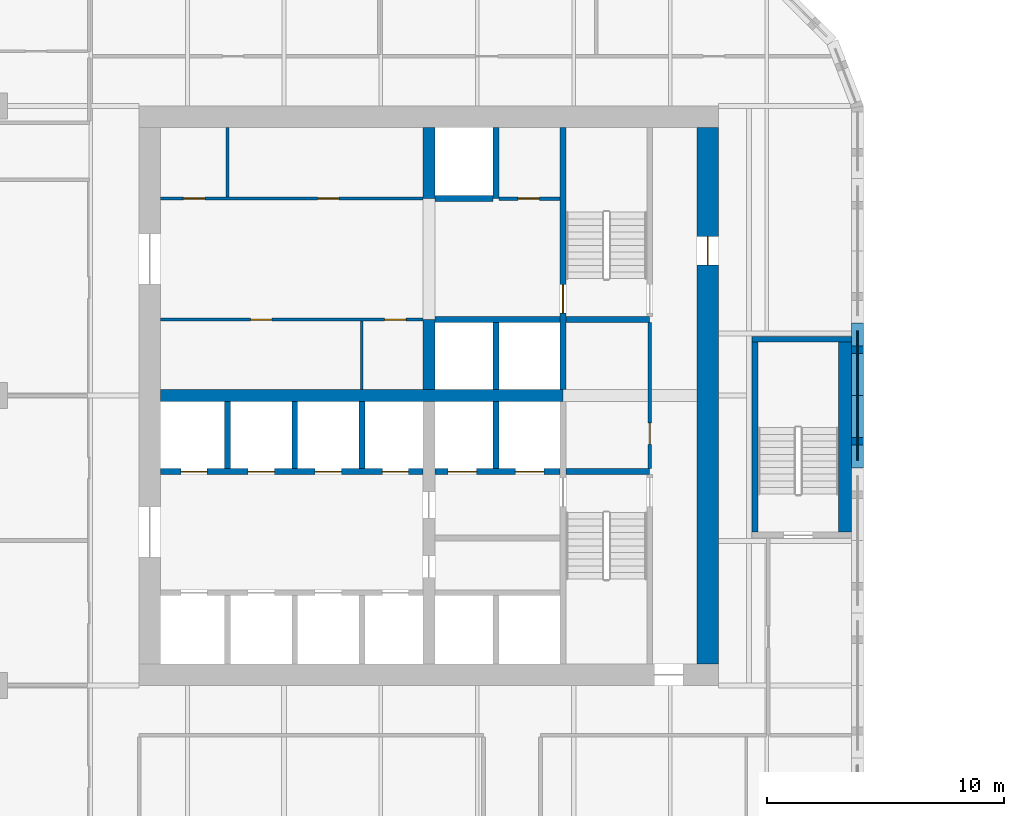
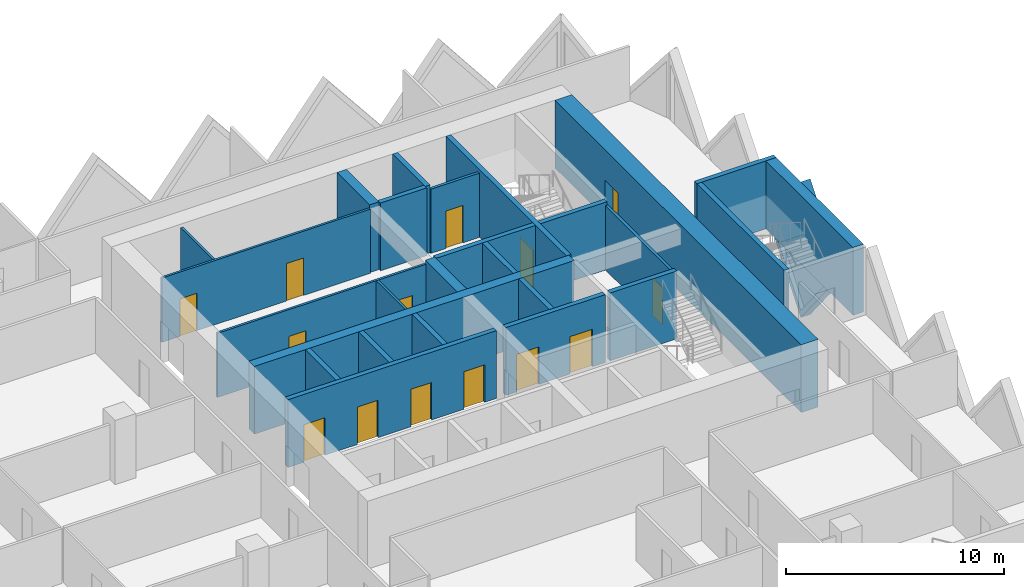
# One storey, part 9 of 18: 27 walls, 14 doors, 1 plate, 15 openings.
"""IFC4 building model written with IfcOpenShell, lengths in metres."""

from ifc_helpers import new_model, si_unit, direction, frame, frame_2d, origin, place, context, subcontext, project, spatial, polyline, rectangle, outline, extrude, faceted_brep, source, transform, mapped, material, layer, layer_set, type_object, element, fill, save


model = new_model("IFC4")

# Units and contexts
model_context = context("Model", 3, precision=1e-05, world=origin(), true_north=direction((0.0, 1.0)))
body_context = subcontext(model_context, "Body", "Model", "MODEL_VIEW")
ifc_project = project(units=[si_unit("LENGTHUNIT", "METRE"), si_unit("AREAUNIT", "SQUARE_METRE"), si_unit("VOLUMEUNIT", "CUBIC_METRE"), si_unit("PLANEANGLEUNIT", "RADIAN"), si_unit("MASSUNIT", "GRAM", prefix="KILO")], contexts=[model_context])

# Site, building, storey
site_placement = place(None, origin())
site = spatial("IfcSite", under=ifc_project, at=site_placement, CompositionType="ELEMENT")
building_placement = place(site_placement, origin())
building = spatial("IfcBuilding", under=site, at=building_placement, Name="Tessera Gate Towers", CompositionType="ELEMENT")
storey_placement = place(building_placement, frame((0.0, 0.0, 44.800048828125)))
storey = spatial("IfcBuildingStorey", under=building, at=storey_placement, Name="L10", CompositionType="ELEMENT", Elevation=44.800048828125)

# Wall, opening, door
ifc_material_1 = material(Name="Concrete C40/50", Category="concrete")
ifc_layer_1 = layer(ifc_material_1, 0.25)
ifc_layer_set_1 = layer_set([ifc_layer_1], Name="CORE ENCLOSURE WALL 250")
wall_type_1 = type_object("IfcWallType", Name="CORE ENCLOSURE WALL 250", PredefinedType="SOLIDWALL", material=ifc_layer_set_1)
wall_1_placement = place(storey_placement, frame((48.35009765625, 47.89990234375, 0.0), z_axis=(0.0, 0.0, 1.0), x_axis=(0.0, -1.0, 0.0)))
wall_1 = element("IfcWall", 1, at=wall_1_placement, inside=storey, type_object=wall_type_1, Name="L10 shaft and stair enclosure wall", PredefinedType="SOLIDWALL", context=body_context, shape_type="SweptSolid", body=[
    extrude(rectangle(XDim=11.0498046875, YDim=0.25, at=frame_2d((5.52490234375, 0.0))), origin(), (0.0, 0.0, 1.0), 3.800048828125),
])
shared_shape_1 = source(origin(), body_context, "Body", "SweptSolid", [
    extrude(rectangle(XDim=1.199951171875, YDim=2.10009765625, at=frame_2d((0.60009765625, 1.050048828125))), frame((0.0, 0.135009765625, 0.0), z_axis=(0.0, -1.0, 0.0), x_axis=(1.0, 0.0, 0.0)), (0.0, 0.0, 1.0), 0.27001953125),
])
opening_1_placement = place(wall_1_placement, frame((6.625, 0.0, 0.0)))
opening_1 = element("IfcOpeningElement", 2, at=opening_1_placement, cuts=wall_1, Name="Opening SD-ST2-1", PredefinedType="OPENING", context=body_context, shape_type="MappedRepresentation", body=[
    mapped(shared_shape_1, transform((0.0, 0.0, 0.0), scale=1.0)),
])
ifc_material_2 = material(Name="Hollow steel fire door", Category="steel")
door_type_1 = type_object("IfcDoorType", Name="CORE DOOR SD 1200x2100", OperationType="NOTDEFINED", PredefinedType="DOOR", material=ifc_material_2)
shared_shape_2 = source(origin(), body_context, "Body", "SweptSolid", [
    extrude(rectangle(XDim=1.199951171875, YDim=2.10009765625, at=frame_2d((0.60009765625, 1.050048828125))), frame((0.0, 0.02490234375, 0.0), z_axis=(0.0, -1.0, 0.0), x_axis=(1.0, 0.0, 0.0)), (0.0, 0.0, 1.0), 0.050048828125),
])
door_1_placement = place(opening_1_placement, origin())
door_1 = element("IfcDoor", 3, at=door_1_placement, inside=storey, type_object=door_type_1, Name="Stair door", OperationType="SINGLE_SWING_RIGHT", OverallHeight=2.10009765625, OverallWidth=1.199951171875, PredefinedType="DOOR", context=body_context, shape_type="MappedRepresentation", body=[
    mapped(shared_shape_2, transform((0.0, 0.0, 0.0), scale=1.0)),
])
fill(opening_1, door_1)

# Wall, openings, doors
wall_2_placement = place(storey_placement, frame((42.449951171875, 33.39990234375, 0.0), z_axis=(0.0, 0.0, 1.0), x_axis=(-1.0, 0.0, 0.0)))
wall_2 = element("IfcWall", 4, at=wall_2_placement, inside=storey, type_object=wall_type_1, Name="L10 shaft and stair enclosure wall", PredefinedType="SOLIDWALL", context=body_context, shape_type="SweptSolid", body=[
    extrude(rectangle(XDim=11.050048828125, YDim=0.25, at=frame_2d((5.52490234375, 0.0))), origin(), (0.0, 0.0, 1.0), 3.800048828125),
])
shared_shape_3 = source(origin(), body_context, "Body", "SweptSolid", [
    extrude(rectangle(XDim=1.10009765625, YDim=2.10009765625, at=frame_2d((0.550048828125, 1.050048828125))), frame((0.0, 0.135009765625, 0.0), z_axis=(0.0, -1.0, 0.0), x_axis=(1.0, 0.0, 0.0)), (0.0, 0.0, 1.0), 0.27001953125),
])
opening_2_placement = place(wall_2_placement, frame((9.08740234375, 0.0, 0.0)))
opening_2 = element("IfcOpeningElement", 5, at=opening_2_placement, cuts=wall_2, Name="Opening LD-LR5", PredefinedType="OPENING", context=body_context, shape_type="MappedRepresentation", body=[
    mapped(shared_shape_3, transform((0.0, 0.0, 0.0), scale=1.0)),
])
opening_3_placement = place(wall_2_placement, frame((6.262451171875, 0.0, 0.0)))
opening_3 = element("IfcOpeningElement", 6, at=opening_3_placement, cuts=wall_2, Name="Opening LD-LR6", PredefinedType="OPENING", context=body_context, shape_type="MappedRepresentation", body=[
    mapped(shared_shape_3, transform((0.0, 0.0, 0.0), scale=1.0)),
])
opening_4_placement = place(wall_2_placement, frame((3.4375, 0.0, 0.0)))
opening_4 = element("IfcOpeningElement", 7, at=opening_4_placement, cuts=wall_2, Name="Opening LD-LR7", PredefinedType="OPENING", context=body_context, shape_type="MappedRepresentation", body=[
    mapped(shared_shape_3, transform((0.0, 0.0, 0.0), scale=1.0)),
])
opening_5_placement = place(wall_2_placement, frame((0.612548828125, 0.0, 0.0)))
opening_5 = element("IfcOpeningElement", 8, at=opening_5_placement, cuts=wall_2, Name="Opening LD-LR8", PredefinedType="OPENING", context=body_context, shape_type="MappedRepresentation", body=[
    mapped(shared_shape_3, transform((0.0, 0.0, 0.0), scale=1.0)),
])
ifc_material_3 = material(Name="Stainless steel", Category="steel")
door_type_2 = type_object("IfcDoorType", Name="CORE DOOR LD 1100x2100", OperationType="DOUBLE_DOOR_SLIDING", PredefinedType="DOOR", material=ifc_material_3)
shared_shape_4 = source(origin(), body_context, "Body", "SweptSolid", [
    extrude(rectangle(XDim=1.10009765625, YDim=2.10009765625, at=frame_2d((0.550048828125, 1.050048828125))), frame((0.0, 0.02490234375, 0.0), z_axis=(0.0, -1.0, 0.0), x_axis=(1.0, 0.0, 0.0)), (0.0, 0.0, 1.0), 0.050048828125),
])
door_2_placement = place(opening_2_placement, origin())
door_2 = element("IfcDoor", 9, at=door_2_placement, inside=storey, type_object=door_type_2, Name="Landing door LR5 L10", OperationType="DOUBLE_DOOR_SLIDING", OverallHeight=2.10009765625, OverallWidth=1.10009765625, PredefinedType="DOOR", context=body_context, shape_type="MappedRepresentation", body=[
    mapped(shared_shape_4, transform((0.0, 0.0, 0.0), scale=1.0)),
])
fill(opening_2, door_2)
door_3_placement = place(opening_3_placement, origin())
door_3 = element("IfcDoor", 10, at=door_3_placement, inside=storey, type_object=door_type_2, Name="Landing door LR6 L10", OperationType="DOUBLE_DOOR_SLIDING", OverallHeight=2.10009765625, OverallWidth=1.10009765625, PredefinedType="DOOR", context=body_context, shape_type="MappedRepresentation", body=[
    mapped(shared_shape_4, transform((0.0, 0.0, 0.0), scale=1.0)),
])
fill(opening_3, door_3)
door_4_placement = place(opening_4_placement, origin())
door_4 = element("IfcDoor", 11, at=door_4_placement, inside=storey, type_object=door_type_2, Name="Landing door LR7 L10", OperationType="DOUBLE_DOOR_SLIDING", OverallHeight=2.10009765625, OverallWidth=1.10009765625, PredefinedType="DOOR", context=body_context, shape_type="MappedRepresentation", body=[
    mapped(shared_shape_4, transform((0.0, 0.0, 0.0), scale=1.0)),
])
fill(opening_4, door_4)
door_5_placement = place(opening_5_placement, origin())
door_5 = element("IfcDoor", 12, at=door_5_placement, inside=storey, type_object=door_type_2, Name="Landing door LR8 L10", OperationType="DOUBLE_DOOR_SLIDING", OverallHeight=2.10009765625, OverallWidth=1.10009765625, PredefinedType="DOOR", context=body_context, shape_type="MappedRepresentation", body=[
    mapped(shared_shape_4, transform((0.0, 0.0, 0.0), scale=1.0)),
])
fill(opening_5, door_5)

wall_3_placement = place(storey_placement, frame((48.22509765625, 33.39990234375, 0.0), z_axis=(0.0, 0.0, 1.0), x_axis=(-1.0, 0.0, 0.0)))
wall_3 = element("IfcWall", 13, at=wall_3_placement, inside=storey, type_object=wall_type_1, Name="L10 shaft and stair enclosure wall", PredefinedType="SOLIDWALL", context=body_context, shape_type="SweptSolid", body=[
    extrude(rectangle(XDim=5.275146484375, YDim=0.25, at=frame_2d((2.6376953125, 0.0))), origin(), (0.0, 0.0, 1.0), 3.800048828125),
])
opening_6_placement = place(wall_3_placement, frame((3.512451171875, 0.0, 0.0)))
opening_6 = element("IfcOpeningElement", 14, at=opening_6_placement, cuts=wall_3, Name="Opening LD-FF1", PredefinedType="OPENING", context=body_context, shape_type="MappedRepresentation", body=[
    mapped(shared_shape_1, transform((0.0, 0.0, 0.0), scale=1.0)),
])
opening_7_placement = place(wall_3_placement, frame((0.6875, 0.0, 0.0)))
opening_7 = element("IfcOpeningElement", 15, at=opening_7_placement, cuts=wall_3, Name="Opening LD-FF2", PredefinedType="OPENING", context=body_context, shape_type="MappedRepresentation", body=[
    mapped(shared_shape_1, transform((0.0, 0.0, 0.0), scale=1.0)),
])
ifc_material_4 = material(Name="Stainless steel", Category="steel")
door_type_3 = type_object("IfcDoorType", Name="CORE DOOR LD1200 1200x2100", OperationType="DOUBLE_DOOR_SLIDING", PredefinedType="DOOR", material=ifc_material_4)
door_6_placement = place(opening_6_placement, origin())
door_6 = element("IfcDoor", 16, at=door_6_placement, inside=storey, type_object=door_type_3, Name="Landing door FF1 L10", OperationType="DOUBLE_DOOR_SLIDING", OverallHeight=2.10009765625, OverallWidth=1.199951171875, PredefinedType="DOOR", context=body_context, shape_type="MappedRepresentation", body=[
    mapped(shared_shape_2, transform((0.0, 0.0, 0.0), scale=1.0)),
])
fill(opening_6, door_6)
door_7_placement = place(opening_7_placement, origin())
door_7 = element("IfcDoor", 17, at=door_7_placement, inside=storey, type_object=door_type_3, Name="Landing door FF2 L10", OperationType="DOUBLE_DOOR_SLIDING", OverallHeight=2.10009765625, OverallWidth=1.199951171875, PredefinedType="DOOR", context=body_context, shape_type="MappedRepresentation", body=[
    mapped(shared_shape_2, transform((0.0, 0.0, 0.0), scale=1.0)),
])
fill(opening_7, door_7)

# Walls
wall_4_placement = place(storey_placement, frame((48.47509765625, 33.39990234375, 0.0), z_axis=(0.0, 0.0, 1.0), x_axis=(1.0, 0.0, 0.0)))
element("IfcWall", 18, at=wall_4_placement, inside=storey, type_object=wall_type_1, Name="L10 shaft and stair enclosure wall", PredefinedType="SOLIDWALL", context=body_context, shape_type="SweptSolid", body=[
    extrude(rectangle(XDim=3.52490234375, YDim=0.25, at=frame_2d((1.762451171875, 0.0))), origin(), (0.0, 0.0, 1.0), 3.800048828125),
])
wall_5_placement = place(storey_placement, frame((42.949951171875, 39.800048828125, 0.0), z_axis=(0.0, 0.0, 1.0), x_axis=(1.0, 0.0, 0.0)))
element("IfcWall", 19, at=wall_5_placement, inside=storey, type_object=wall_type_1, Name="L10 shaft and stair enclosure wall", PredefinedType="SOLIDWALL", context=body_context, shape_type="SweptSolid", body=[
    extrude(rectangle(XDim=5.275146484375, YDim=0.25, at=frame_2d((2.6376953125, 0.0))), origin(), (0.0, 0.0, 1.0), 3.800048828125),
])
wall_6_placement = place(storey_placement, frame((48.47509765625, 39.800048828125, 0.0), z_axis=(0.0, 0.0, 1.0), x_axis=(1.0, 0.0, 0.0)))
element("IfcWall", 20, at=wall_6_placement, inside=storey, type_object=wall_type_1, Name="L10 shaft and stair enclosure wall", PredefinedType="SOLIDWALL", context=body_context, shape_type="SweptSolid", body=[
    extrude(rectangle(XDim=3.52490234375, YDim=0.25, at=frame_2d((1.762451171875, 0.0))), origin(), (0.0, 0.0, 1.0), 3.800048828125),
])
wall_7_placement = place(storey_placement, frame((45.52490234375, 33.52490234375, 0.0), z_axis=(0.0, 0.0, 1.0), x_axis=(0.0, 1.0, 0.0)))
element("IfcWall", 21, at=wall_7_placement, inside=storey, type_object=wall_type_1, Name="L10 shaft and stair enclosure wall", PredefinedType="SOLIDWALL", context=body_context, shape_type="SweptSolid", body=[
    extrude(rectangle(XDim=2.8251953125, YDim=0.25, at=frame_2d((1.41259765625, 0.0))), origin(), (0.0, 0.0, 1.0), 3.800048828125),
])
wall_8_placement = place(storey_placement, frame((45.52490234375, 36.85009765625, 0.0), z_axis=(0.0, 0.0, 1.0), x_axis=(0.0, 1.0, 0.0)))
element("IfcWall", 22, at=wall_8_placement, inside=storey, type_object=wall_type_1, Name="L10 shaft and stair enclosure wall", PredefinedType="SOLIDWALL", context=body_context, shape_type="SweptSolid", body=[
    extrude(rectangle(XDim=2.824951171875, YDim=0.25, at=frame_2d((1.41259765625, 0.0))), origin(), (0.0, 0.0, 1.0), 3.800048828125),
])
for number, where, z_axis, x_axis, name in (
    (23, (34.22509765625, 33.52490234375, 0.0), (0.0, 0.0, 1.0), (0.0, 1.0, 0.0), "L10 shaft and stair enclosure wall"),
    (24, (37.050048828125, 33.52490234375, 0.0), (0.0, 0.0, 1.0), (0.0, 1.0, 0.0), "L10 shaft and stair enclosure wall"),
    (25, (39.875, 33.52490234375, 0.0), (0.0, 0.0, 1.0), (0.0, 1.0, 0.0), "L10 shaft and stair enclosure wall"),
):
    element("IfcWall", number, at=place(storey_placement, frame(where, z_axis=z_axis, x_axis=x_axis)), inside=storey, type_object=wall_type_1, Name=name, PredefinedType="SOLIDWALL", context=body_context, shape_type="SweptSolid", body=[
        extrude(rectangle(XDim=2.8251953125, YDim=0.25, at=frame_2d((1.41259765625, 0.0))), origin(), (0.0, 0.0, 1.0), 3.800048828125),
    ])
wall_9_placement = place(storey_placement, frame((45.52490234375, 44.89990234375, 0.0), z_axis=(0.0, 0.0, 1.0), x_axis=(0.0, 1.0, 0.0)))
element("IfcWall", 26, at=wall_9_placement, inside=storey, type_object=wall_type_1, Name="L10 shaft and stair enclosure wall", PredefinedType="SOLIDWALL", context=body_context, shape_type="SweptSolid", body=[
    extrude(rectangle(XDim=3.0, YDim=0.25, at=frame_2d((1.5, 0.0))), origin(), (0.0, 0.0, 1.0), 3.800048828125),
])
wall_10_placement = place(storey_placement, frame((42.949951171875, 44.89990234375, 0.0), z_axis=(0.0, 0.0, 1.0), x_axis=(1.0, 0.0, 0.0)))
element("IfcWall", 27, at=wall_10_placement, inside=storey, type_object=wall_type_1, Name="L10 shaft and stair enclosure wall", PredefinedType="SOLIDWALL", context=body_context, shape_type="SweptSolid", body=[
    extrude(rectangle(XDim=2.449951171875, YDim=0.25, at=frame_2d((1.22509765625, 0.0))), origin(), (0.0, 0.0, 1.0), 3.800048828125),
])
wall_11_placement = place(storey_placement, frame((56.425048828125, 30.85009765625, 0.0), z_axis=(0.0, 0.0, 1.0), x_axis=(0.0, 1.0, 0.0)))
element("IfcWall", 28, at=wall_11_placement, inside=storey, type_object=wall_type_1, Name="L10 ST5 enclosure wall", PredefinedType="SOLIDWALL", context=body_context, shape_type="SweptSolid", body=[
    extrude(rectangle(XDim=8.0, YDim=0.25, at=frame_2d((4.0, 0.0))), origin(), (0.0, 0.0, 1.0), 3.800048828125),
])
wall_12_placement = place(storey_placement, frame((56.300048828125, 38.97509765625, 0.0), z_axis=(0.0, 0.0, 1.0), x_axis=(1.0, 0.0, 0.0)))
element("IfcWall", 29, at=wall_12_placement, inside=storey, type_object=wall_type_1, Name="L10 ST5 enclosure wall", PredefinedType="SOLIDWALL", context=body_context, shape_type="SweptSolid", body=[
    extrude(rectangle(XDim=4.199951171875, YDim=0.25, at=frame_2d((2.10009765625, 0.0))), origin(), (0.0, 0.0, 1.0), 3.800048828125),
])
ifc_material_5 = material(Name="Concrete C40/50", Category="concrete")
ifc_layer_2 = layer(ifc_material_5, 0.550048828125)
ifc_layer_set_2 = layer_set([ifc_layer_2], Name="CORE ENCLOSURE WALL 550")
wall_type_2 = type_object("IfcWallType", Name="CORE ENCLOSURE WALL 550", PredefinedType="SOLIDWALL", material=ifc_layer_set_2)
wall_13_placement = place(storey_placement, frame((60.22509765625, 38.85009765625, 0.0), z_axis=(0.0, 0.0, 1.0), x_axis=(0.0, -1.0, 0.0)))
element("IfcWall", 30, at=wall_13_placement, inside=storey, type_object=wall_type_2, Name="L10 ST5 enclosure wall", PredefinedType="SOLIDWALL", context=body_context, shape_type="SweptSolid", body=[
    extrude(rectangle(XDim=8.0, YDim=0.550048828125, at=frame_2d((4.0, 0.0))), origin(), (0.0, 0.0, 1.0), 3.800048828125),
])

# Wall, openings, doors
ifc_material_6 = material(Name="Gypsum board on steel studs", Category="steel")
ifc_layer_3 = layer(ifc_material_6, 0.1201171875)
ifc_layer_set_3 = layer_set([ifc_layer_3], Name="CORE PARTITION 120")
wall_type_3 = type_object("IfcWallType", Name="CORE PARTITION 120", PredefinedType="PARTITIONING", material=ifc_layer_set_3)
wall_14_placement = place(storey_placement, frame((42.449951171875, 39.800048828125, 0.0), z_axis=(0.0, 0.0, 1.0), x_axis=(-1.0, 0.0, 0.0)))
wall_14 = element("IfcWall", 31, at=wall_14_placement, inside=storey, type_object=wall_type_3, Name="L10 core partition", PredefinedType="PARTITIONING", context=body_context, shape_type="SweptSolid", body=[
    extrude(rectangle(XDim=11.050048828125, YDim=0.1201171875, at=frame_2d((5.52490234375, 0.0))), origin(), (0.0, 0.0, 1.0), 3.599853515625),
])
shared_shape_5 = source(origin(), body_context, "Body", "SweptSolid", [
    extrude(rectangle(XDim=0.89990234375, YDim=2.10009765625, at=frame_2d((0.449951171875, 1.050048828125))), frame((0.0, 0.070068359375, 0.0), z_axis=(0.0, -1.0, 0.0), x_axis=(1.0, 0.0, 0.0)), (0.0, 0.0, 1.0), 0.14013671875),
])
opening_8_placement = place(wall_14_placement, frame((6.362548828125, 0.0, 0.0)))
opening_8 = element("IfcOpeningElement", 32, at=opening_8_placement, cuts=wall_14, Name="Opening RD-T1-08-07", PredefinedType="OPENING", context=body_context, shape_type="MappedRepresentation", body=[
    mapped(shared_shape_5, transform((0.0, 0.0, 0.0), scale=1.0)),
])
opening_9_placement = place(wall_14_placement, frame((0.71240234375, 0.0, 0.0)))
opening_9 = element("IfcOpeningElement", 33, at=opening_9_placement, cuts=wall_14, Name="Opening RD-T1-08-08", PredefinedType="OPENING", context=body_context, shape_type="MappedRepresentation", body=[
    mapped(shared_shape_5, transform((0.0, 0.0, 0.0), scale=1.0)),
])
ifc_material_7 = material(Name="Hollow steel fire door", Category="steel")
door_type_4 = type_object("IfcDoorType", Name="CORE DOOR RD 900x2100", OperationType="NOTDEFINED", PredefinedType="DOOR", material=ifc_material_7)
shared_shape_6 = source(origin(), body_context, "Body", "SweptSolid", [
    extrude(rectangle(XDim=0.89990234375, YDim=2.10009765625, at=frame_2d((0.449951171875, 1.050048828125))), frame((0.0, 0.02490234375, 0.0), z_axis=(0.0, -1.0, 0.0), x_axis=(1.0, 0.0, 0.0)), (0.0, 0.0, 1.0), 0.050048828125),
])
door_8_placement = place(opening_8_placement, origin())
door_8 = element("IfcDoor", 34, at=door_8_placement, inside=storey, type_object=door_type_4, Name="Core room door", OperationType="SINGLE_SWING_RIGHT", OverallHeight=2.10009765625, OverallWidth=0.89990234375, PredefinedType="DOOR", context=body_context, shape_type="MappedRepresentation", body=[
    mapped(shared_shape_6, transform((0.0, 0.0, 0.0), scale=1.0)),
])
fill(opening_8, door_8)
door_9_placement = place(opening_9_placement, origin())
door_9 = element("IfcDoor", 35, at=door_9_placement, inside=storey, type_object=door_type_4, Name="Core room door", OperationType="SINGLE_SWING_LEFT", OverallHeight=2.10009765625, OverallWidth=0.89990234375, PredefinedType="DOOR", context=body_context, shape_type="MappedRepresentation", body=[
    mapped(shared_shape_6, transform((0.0, 0.0, 0.0), scale=1.0)),
])
fill(opening_9, door_9)

wall_15_placement = place(storey_placement, frame((31.39990234375, 44.89990234375, 0.0), z_axis=(0.0, 0.0, 1.0), x_axis=(1.0, 0.0, 0.0)))
wall_15 = element("IfcWall", 36, at=wall_15_placement, inside=storey, type_object=wall_type_3, Name="L10 core partition", PredefinedType="PARTITIONING", context=body_context, shape_type="SweptSolid", body=[
    extrude(rectangle(XDim=11.050048828125, YDim=0.1201171875, at=frame_2d((5.52490234375, 0.0))), origin(), (0.0, 0.0, 1.0), 3.599853515625),
])
opening_10_placement = place(wall_15_placement, frame((0.96240234375, 0.0, 0.0)))
opening_10 = element("IfcOpeningElement", 37, at=opening_10_placement, cuts=wall_15, Name="Opening RD-T1-08-09", PredefinedType="OPENING", context=body_context, shape_type="MappedRepresentation", body=[
    mapped(shared_shape_5, transform((0.0, 0.0, 0.0), scale=1.0)),
])
opening_11_placement = place(wall_15_placement, frame((6.612548828125, 0.0, 0.0)))
opening_11 = element("IfcOpeningElement", 38, at=opening_11_placement, cuts=wall_15, Name="Opening RD-T1-08-10", PredefinedType="OPENING", context=body_context, shape_type="MappedRepresentation", body=[
    mapped(shared_shape_5, transform((0.0, 0.0, 0.0), scale=1.0)),
])
door_10_placement = place(opening_10_placement, origin())
door_10 = element("IfcDoor", 39, at=door_10_placement, inside=storey, type_object=door_type_4, Name="Core room door", OperationType="SINGLE_SWING_LEFT", OverallHeight=2.10009765625, OverallWidth=0.89990234375, PredefinedType="DOOR", context=body_context, shape_type="MappedRepresentation", body=[
    mapped(shared_shape_6, transform((0.0, 0.0, 0.0), scale=1.0)),
])
fill(opening_10, door_10)
door_11_placement = place(opening_11_placement, origin())
door_11 = element("IfcDoor", 40, at=door_11_placement, inside=storey, type_object=door_type_4, Name="Core room door", OperationType="SINGLE_SWING_RIGHT", OverallHeight=2.10009765625, OverallWidth=0.89990234375, PredefinedType="DOOR", context=body_context, shape_type="MappedRepresentation", body=[
    mapped(shared_shape_6, transform((0.0, 0.0, 0.0), scale=1.0)),
])
fill(opening_11, door_11)

# Walls
wall_16_placement = place(storey_placement, frame((39.875, 36.85009765625, 0.0), z_axis=(0.0, 0.0, 1.0), x_axis=(0.0, 1.0, 0.0)))
element("IfcWall", 41, at=wall_16_placement, inside=storey, type_object=wall_type_3, Name="L10 core partition", PredefinedType="PARTITIONING", context=body_context, shape_type="SweptSolid", body=[
    extrude(rectangle(XDim=2.889892578125, YDim=0.1201171875, at=frame_2d((1.44482421875, 0.0))), origin(), (0.0, 0.0, 1.0), 3.599853515625),
])
wall_17_placement = place(storey_placement, frame((34.22509765625, 44.9599609375, 0.0), z_axis=(0.0, 0.0, 1.0), x_axis=(0.0, 1.0, 0.0)))
element("IfcWall", 42, at=wall_17_placement, inside=storey, type_object=wall_type_3, Name="L10 core partition", PredefinedType="PARTITIONING", context=body_context, shape_type="SweptSolid", body=[
    extrude(rectangle(XDim=2.93994140625, YDim=0.1201171875, at=frame_2d((1.469970703125, 0.0))), origin(), (0.0, 0.0, 1.0), 3.599853515625),
])

# Wall, opening, door
ifc_material_8 = material(Name="Concrete C70/85", Category="concrete")
ifc_layer_4 = layer(ifc_material_8, 0.89990234375)
ifc_layer_set_4 = layer_set([ifc_layer_4], Name="CORE SHEAR WALL 900 C70/85")
wall_type_4 = type_object("IfcWallType", Name="CORE SHEAR WALL 900 C70/85", PredefinedType="SHEAR", material=ifc_layer_set_4)
wall_18_placement = place(storey_placement, frame((54.449951171875, 47.89990234375, 0.0), z_axis=(0.0, 0.0, 1.0), x_axis=(0.0, -1.0, 0.0)))
wall_18 = element("IfcWall", 43, at=wall_18_placement, inside=storey, type_object=wall_type_4, Name="Core wall E L10", PredefinedType="SHEAR", context=body_context, shape_type="SweptSolid", body=[
    extrude(rectangle(XDim=22.599853515625, YDim=0.89990234375, at=frame_2d((11.2998046875, 0.0))), origin(), (0.0, 0.0, 1.0), 3.800048828125),
])
shared_shape_7 = source(origin(), body_context, "Body", "SweptSolid", [
    extrude(rectangle(XDim=1.199951171875, YDim=2.10009765625, at=frame_2d((0.60009765625, 1.050048828125))), frame((0.0, 0.4599609375, 0.0), z_axis=(0.0, -1.0, 0.0), x_axis=(1.0, 0.0, 0.0)), (0.0, 0.0, 1.0), 0.919921875),
])
opening_12_placement = place(wall_18_placement, frame((4.60009765625, 0.0, 0.0)))
opening_12 = element("IfcOpeningElement", 44, at=opening_12_placement, cuts=wall_18, Name="Opening ED-T1-08-04", PredefinedType="OPENING", context=body_context, shape_type="MappedRepresentation", body=[
    mapped(shared_shape_7, transform((0.0, 0.0, 0.0), scale=1.0)),
])
ifc_material_9 = material(Name="Hollow steel fire door", Category="steel")
door_type_5 = type_object("IfcDoorType", Name="CORE DOOR ED 1200x2100", OperationType="NOTDEFINED", PredefinedType="DOOR", material=ifc_material_9)
door_12_placement = place(opening_12_placement, origin())
door_12 = element("IfcDoor", 45, at=door_12_placement, inside=storey, type_object=door_type_5, Name="Core exit door", OperationType="SINGLE_SWING_LEFT", OverallHeight=2.10009765625, OverallWidth=1.199951171875, PredefinedType="DOOR", context=body_context, shape_type="MappedRepresentation", body=[
    mapped(shared_shape_2, transform((0.0, 0.0, 0.0), scale=1.0)),
])
fill(opening_12, door_12)

# Walls
ifc_material_10 = material(Name="Concrete C70/85", Category="concrete")
ifc_layer_5 = layer(ifc_material_10, 0.5)
ifc_layer_set_5 = layer_set([ifc_layer_5], Name="CORE SPINE WALL 500 C70/85")
wall_type_5 = type_object("IfcWallType", Name="CORE SPINE WALL 500 C70/85", PredefinedType="SHEAR", material=ifc_layer_set_5)
wall_19_placement = place(storey_placement, frame((31.39990234375, 36.60009765625, 0.0), z_axis=(0.0, 0.0, 1.0), x_axis=(1.0, 0.0, 0.0)))
element("IfcWall", 46, at=wall_19_placement, inside=storey, type_object=wall_type_5, Name="Core wall spine L10", PredefinedType="SHEAR", context=body_context, shape_type="SweptSolid", body=[
    extrude(rectangle(XDim=16.9501953125, YDim=0.5, at=frame_2d((8.47509765625, 0.0))), origin(), (0.0, 0.0, 1.0), 3.800048828125),
])
wall_20_placement = place(storey_placement, frame((42.699951171875, 36.85009765625, 0.0), z_axis=(0.0, 0.0, 1.0), x_axis=(0.0, 1.0, 0.0)))
element("IfcWall", 47, at=wall_20_placement, inside=storey, type_object=wall_type_5, Name="Core wall spine L10", PredefinedType="SHEAR", context=body_context, shape_type="SweptSolid", body=[
    extrude(rectangle(XDim=2.949951171875, YDim=0.5, at=frame_2d((1.47509765625, 0.0))), origin(), (0.0, 0.0, 1.0), 3.800048828125),
])
wall_21_placement = place(storey_placement, frame((42.699951171875, 44.89990234375, 0.0), z_axis=(0.0, 0.0, 1.0), x_axis=(0.0, 1.0, 0.0)))
element("IfcWall", 48, at=wall_21_placement, inside=storey, type_object=wall_type_5, Name="Core wall spine L10", PredefinedType="SHEAR", context=body_context, shape_type="SweptSolid", body=[
    extrude(rectangle(XDim=3.0, YDim=0.5, at=frame_2d((1.5, 0.0))), origin(), (0.0, 0.0, 1.0), 3.800048828125),
])

# Wall, opening, door
ifc_material_11 = material(Name="Gypsum board on steel studs", Category="steel")
ifc_layer_6 = layer(ifc_material_11, 0.14990234375)
ifc_layer_set_6 = layer_set([ifc_layer_6], Name="SERVICE ROOM WALL 150")
wall_type_6 = type_object("IfcWallType", Name="SERVICE ROOM WALL 150", PredefinedType="PARTITIONING", material=ifc_layer_set_6)
wall_22_placement = place(storey_placement, frame((52.0, 33.52490234375, 0.0), z_axis=(0.0, 0.0, 1.0), x_axis=(0.0, 1.0, 0.0)))
wall_22 = element("IfcWall", 49, at=wall_22_placement, inside=storey, type_object=wall_type_6, Name="L10 service room wall", PredefinedType="PARTITIONING", context=body_context, shape_type="SweptSolid", body=[
    extrude(rectangle(XDim=6.150146484375, YDim=0.14990234375, at=frame_2d((3.0751953125, 0.0))), origin(), (0.0, 0.0, 1.0), 3.599853515625),
])
shared_shape_8 = source(origin(), body_context, "Body", "SweptSolid", [
    extrude(rectangle(XDim=0.89990234375, YDim=2.10009765625, at=frame_2d((0.449951171875, 1.050048828125))), frame((0.0, 0.0849609375, 0.0), z_axis=(0.0, -1.0, 0.0), x_axis=(1.0, 0.0, 0.0)), (0.0, 0.0, 1.0), 0.169921875),
])
opening_13_placement = place(wall_22_placement, frame((1.02490234375, 0.0, 0.0)))
opening_13 = element("IfcOpeningElement", 50, at=opening_13_placement, cuts=wall_22, Name="Opening RD-T1-08-11", PredefinedType="OPENING", context=body_context, shape_type="MappedRepresentation", body=[
    mapped(shared_shape_8, transform((0.0, 0.0, 0.0), scale=1.0)),
])
door_13_placement = place(opening_13_placement, origin())
door_13 = element("IfcDoor", 51, at=door_13_placement, inside=storey, type_object=door_type_4, Name="Core room door", OperationType="SINGLE_SWING_LEFT", OverallHeight=2.10009765625, OverallWidth=0.89990234375, PredefinedType="DOOR", context=body_context, shape_type="MappedRepresentation", body=[
    mapped(shared_shape_6, transform((0.0, 0.0, 0.0), scale=1.0)),
])
fill(opening_13, door_13)

wall_23_placement = place(storey_placement, frame((45.64990234375, 44.89990234375, 0.0), z_axis=(0.0, 0.0, 1.0), x_axis=(1.0, 0.0, 0.0)))
wall_23 = element("IfcWall", 52, at=wall_23_placement, inside=storey, type_object=wall_type_6, Name="L10 service room wall", PredefinedType="PARTITIONING", context=body_context, shape_type="SweptSolid", body=[
    extrude(rectangle(XDim=2.5751953125, YDim=0.14990234375, at=frame_2d((1.28759765625, 0.0))), origin(), (0.0, 0.0, 1.0), 3.599853515625),
])
opening_14_placement = place(wall_23_placement, frame((0.800048828125, 0.0, 0.0)))
opening_14 = element("IfcOpeningElement", 53, at=opening_14_placement, cuts=wall_23, Name="Opening RD-T1-08-12", PredefinedType="OPENING", context=body_context, shape_type="MappedRepresentation", body=[
    mapped(shared_shape_8, transform((0.0, 0.0, 0.0), scale=1.0)),
])
door_14_placement = place(opening_14_placement, origin())
door_14 = element("IfcDoor", 54, at=door_14_placement, inside=storey, type_object=door_type_4, Name="Core room door", OperationType="SINGLE_SWING_LEFT", OverallHeight=2.10009765625, OverallWidth=0.89990234375, PredefinedType="DOOR", context=body_context, shape_type="MappedRepresentation", body=[
    mapped(shared_shape_6, transform((0.0, 0.0, 0.0), scale=1.0)),
])
fill(opening_14, door_14)

# Wall, opening, plate
ifc_material_12 = material(Name="Precast concrete C60/75 white", Category="concrete")
ifc_layer_7 = layer(ifc_material_12, 0.5)
ifc_layer_set_7 = layer_set([ifc_layer_7], Name="TS1 tessera")
wall_type_7 = type_object("IfcWallType", Name="TS1 tessera", PredefinedType="SOLIDWALL", material=ifc_layer_set_7)
shared_shape_9 = source(origin(), body_context, "Body", "Brep", [
    faceted_brep([(3.050048828125, -0.25, 0.0), (6.099853515625, -0.25, 3.7998046875), (6.099853515625, -0.25, 3.80029296875), (3.050048828125, -0.25, 7.60009765625), (0.0, -0.25, 3.800048828125), (0.0, 0.25, 3.800048828125), (3.050048828125, 0.25, 7.60009765625), (6.099853515625, 0.25, 3.80029296875), (6.099853515625, 0.25, 3.7998046875), (3.050048828125, 0.25, 0.0)], [[[0, 1, 2, 3, 4]], [[5, 6, 7, 8, 9]], [[9, 8, 1, 0]], [[7, 6, 3, 2]], [[6, 5, 4, 3]], [[5, 9, 0, 4]], [[1, 8, 7, 2]]]),
])
wall_24_placement = place(storey_placement, frame((60.75, 33.550048828125, -3.800048828125), z_axis=(0.0, 0.0, 1.0), x_axis=(0.0, 1.0, 0.0)))
wall_24 = element("IfcWall", 55, at=wall_24_placement, inside=storey, type_object=wall_type_7, Name="Precast tessera T1 TS1-0123", PredefinedType="SOLIDWALL", context=body_context, shape_type="MappedRepresentation", body=[
    mapped(shared_shape_9, transform((0.0, 0.0, 0.0), scale=1.0)),
])
shared_shape_10 = source(origin(), body_context, "Body", "SweptSolid", [
    extrude(outline(polyline([(3.050048828125, 0.3994140625), (5.779541015625, 3.800048828125), (3.050048828125, 7.20068359375), (0.320556640625, 3.800048828125), (3.050048828125, 0.3994140625)])), frame((0.0, 0.260009765625, 0.0), z_axis=(0.0, -1.0, 0.0), x_axis=(1.0, 0.0, 0.0)), (0.0, 0.0, 1.0), 0.52001953125),
])
opening_15_placement = place(wall_24_placement, origin())
opening_15 = element("IfcOpeningElement", 56, at=opening_15_placement, cuts=wall_24, Name="Opening T1-PL2-0247", PredefinedType="OPENING", context=body_context, shape_type="MappedRepresentation", body=[
    mapped(shared_shape_10, transform((0.0, 0.0, 0.0), scale=1.0)),
])
ifc_material_13 = material(Name="Low-e laminated glass", Category="glass")
ifc_layer_8 = layer(ifc_material_13, 0.06005859375)
ifc_layer_set_8 = layer_set([ifc_layer_8], Name="PL2 rhombic pane")
plate_type = type_object("IfcPlateType", Name="PL2 rhombic pane", PredefinedType="SHEET", material=ifc_layer_set_8)
shared_shape_11 = source(origin(), body_context, "Body", "SweptSolid", [
    extrude(outline(polyline([(3.050048828125, 0.3994140625), (5.779541015625, 3.800048828125), (3.050048828125, 7.20068359375), (0.320556640625, 3.800048828125), (3.050048828125, 0.3994140625)])), frame((0.0, 0.030029296875, 0.0), z_axis=(0.0, -1.0, 0.0), x_axis=(1.0, 0.0, 0.0)), (0.0, 0.0, 1.0), 0.06005859375),
])
plate_placement = place(opening_15_placement, origin())
plate = element("IfcPlate", 57, at=plate_placement, inside=storey, type_object=plate_type, Name="Glass pane T1 PL2-0247", PredefinedType="SHEET", context=body_context, shape_type="MappedRepresentation", body=[
    mapped(shared_shape_11, transform((0.0, 0.0, 0.0), scale=1.0)),
])
fill(opening_15, plate)

save(model, "model.ifc")
